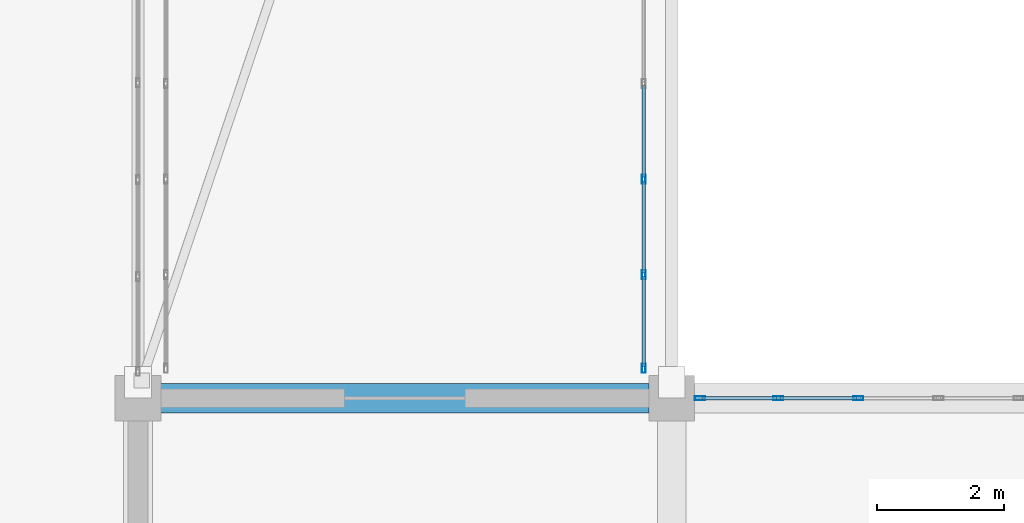
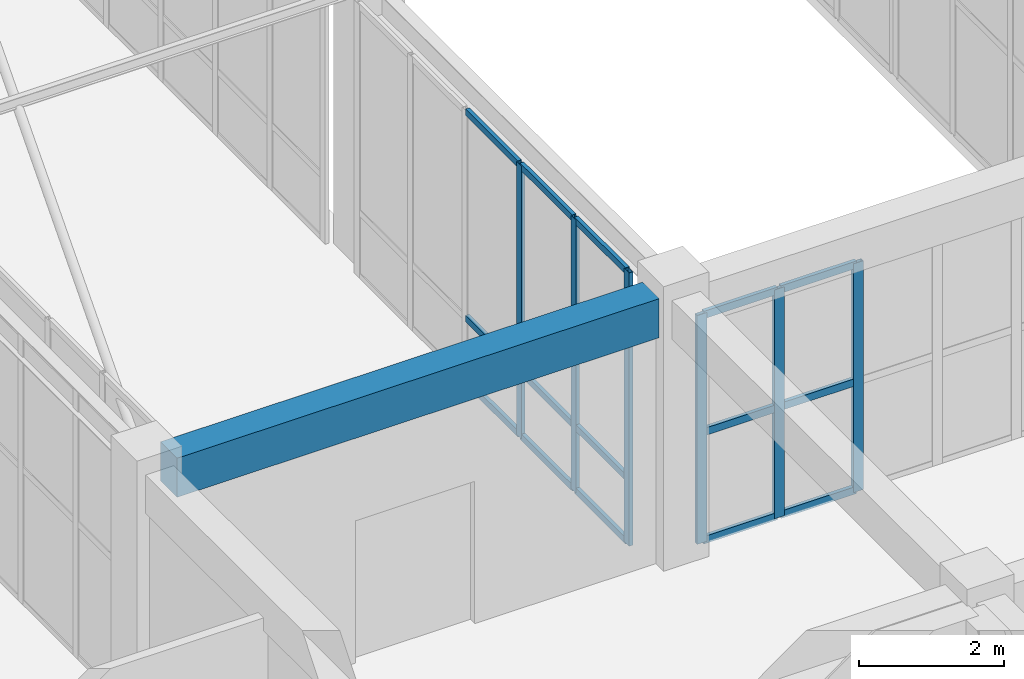
# One storey, part 66 of 158: 21 members, 1 beam, 2 elements without a shape of their own.
"""IFC4 building model written with IfcOpenShell, lengths in metres."""

from ifc_helpers import new_model, si_unit, direction, frame, origin, origin_2d, place, context, subcontext, project, spatial, rectangle, hollow_rectangle, extrude, material, layer, layer_set, material_profile, profile_set, type_object, element, aggregate, save


model = new_model("IFC4")

# Units and contexts
model_context = context("Model", 3, precision=1e-05, world=origin(), true_north=direction((0.0, 1.0)))
body_context = subcontext(model_context, "Body", "Model", "MODEL_VIEW")
ifc_project = project(units=[si_unit("LENGTHUNIT", "METRE"), si_unit("AREAUNIT", "SQUARE_METRE"), si_unit("VOLUMEUNIT", "CUBIC_METRE"), si_unit("PLANEANGLEUNIT", "RADIAN"), si_unit("MASSUNIT", "GRAM", prefix="KILO")], contexts=[model_context])

# Site, building, storey
site_placement = place(None, origin())
site = spatial("IfcSite", under=ifc_project, at=site_placement, CompositionType="ELEMENT")
building_placement = place(site_placement, origin())
building = spatial("IfcBuilding", under=site, at=building_placement, Name="Trelvath General Hospital", CompositionType="ELEMENT")
storey_placement = place(building_placement, frame((0.0, 0.0, 8.10009765625)))
storey = spatial("IfcBuildingStorey", under=building, at=storey_placement, Name="L02", CompositionType="ELEMENT", Elevation=8.10009765625)

# Beam
ifc_material_1 = material(Name="Concrete C35/45", Category="concrete")
ifc_material_profile_1 = material_profile(ifc_material_1, rectangle(XDim=0.4599609375, YDim=0.659912109375, at=origin_2d()), Name="RCB460x660")
ifc_profile_set_1 = profile_set([ifc_material_profile_1], Name="Concrete C35/45")
beam_type = type_object("IfcBeamType", Name="Beam RC460x660", PredefinedType="BEAM", material=ifc_profile_set_1)
beam_placement = place(storey_placement, frame((75.955078125, 67.199951171875, 4.18994140625), z_axis=(1.0, 0.0, 0.0), x_axis=(0.0, 1.0, 0.0)))
element("IfcBeam", 1, at=beam_placement, inside=storey, type_object=beam_type, Name="Grid Beam BX-209I", PredefinedType="BEAM", context=body_context, shape_type="SweptSolid", body=[
    extrude(rectangle(XDim=0.4599609375, YDim=0.659912109375, at=origin_2d()), origin(), (0.0, 0.0, 1.0), 7.68994140625),
])

# Curtain wall, members
ifc_material_2 = material(Name="Anodised aluminium and low-E glass", Category="aluminium")
ifc_layer_1 = layer(ifc_material_2, 0.139892578125)
ifc_layer_set_1 = layer_set([ifc_layer_1], Name="Anodised aluminium and low-E glass")
curtain_wall_type_1 = type_object("IfcCurtainWallType", Name="CW Bridge 752 461", PredefinedType="USERDEFINED", material=ifc_layer_set_1)
curtain_wall_1_placement = place(storey_placement, origin())
curtain_wall_1 = element("IfcCurtainWall", 2, at=curtain_wall_1_placement, inside=storey, type_object=curtain_wall_type_1, Name="Glazed Bridge Curtain Wall BRG-N-C E L02", ObjectType="Unitised Glazed Curtain Wall", PredefinedType="USERDEFINED")
ifc_material_3 = material(Name="Anodised aluminium", Category="aluminium")
ifc_material_profile_2 = material_profile(ifc_material_3, hollow_rectangle(XDim=0.06005859375, YDim=0.139892578125, WallThickness=0.00390625, at=origin_2d()), Name="RHS60x140x4")
ifc_profile_set_2 = profile_set([ifc_material_profile_2], Name="Anodised aluminium")
member_type_1 = type_object("IfcMemberType", Name="CurtainMullion 60x140", PredefinedType="MULLION", material=ifc_profile_set_2)
member_1_placement = place(storey_placement, frame((83.56005859375, 70.64794921875, 0.0), z_axis=(0.0, 0.0, 1.0), x_axis=(1.0, 0.0, 0.0)))
member_1 = element("IfcMember", 3, at=member_1_placement, type_object=member_type_1, Name="CW-221 mullion 4", PredefinedType="MULLION", context=body_context, shape_type="SweptSolid", body=[
    extrude(hollow_rectangle(XDim=0.06005859375, YDim=0.139892578125, WallThickness=0.00390625, at=origin_2d()), origin(), (0.0, 0.0, 1.0), 4.60986328125),
])
member_2_placement = place(storey_placement, frame((83.56005859375, 69.14404296875, 0.0), z_axis=(0.0, 0.0, 1.0), x_axis=(1.0, 0.0, 0.0)))
member_2 = element("IfcMember", 4, at=member_2_placement, type_object=member_type_1, Name="CW-221 mullion 5", PredefinedType="MULLION", context=body_context, shape_type="SweptSolid", body=[
    extrude(hollow_rectangle(XDim=0.06005859375, YDim=0.139892578125, WallThickness=0.00390625, at=origin_2d()), origin(), (0.0, 0.0, 1.0), 4.60986328125),
])
member_3_placement = place(storey_placement, frame((83.56005859375, 67.669921875, 0.0), z_axis=(0.0, 0.0, 1.0), x_axis=(1.0, 0.0, 0.0)))
member_3 = element("IfcMember", 5, at=member_3_placement, type_object=member_type_1, Name="CW-221 mullion 6", PredefinedType="MULLION", context=body_context, shape_type="SweptSolid", body=[
    extrude(hollow_rectangle(XDim=0.06005859375, YDim=0.139892578125, WallThickness=0.00390625, at=origin_2d()), origin(), (0.0, 0.0, 1.0), 4.60986328125),
])

ifc_material_4 = material(Name="Anodised aluminium and low-E glass", Category="aluminium")
ifc_layer_2 = layer(ifc_material_4, 0.159912109375)
ifc_layer_set_2 = layer_set([ifc_layer_2], Name="Anodised aluminium and low-E glass")
curtain_wall_type_2 = type_object("IfcCurtainWallType", Name="CW Facade 757 386 16", PredefinedType="USERDEFINED", material=ifc_layer_set_2)
curtain_wall_2_placement = place(storey_placement, origin())
curtain_wall_2 = element("IfcCurtainWall", 6, at=curtain_wall_2_placement, inside=storey, type_object=curtain_wall_type_2, Name="Facade Curtain Wall CW-043", ObjectType="Unitised Glazed Curtain Wall", PredefinedType="USERDEFINED")
ifc_material_5 = material(Name="Anodised aluminium", Category="aluminium")
ifc_material_profile_3 = material_profile(ifc_material_5, hollow_rectangle(XDim=0.06005859375, YDim=0.159912109375, WallThickness=0.00390625, at=origin_2d()), Name="RHS60x160x4")
ifc_profile_set_3 = profile_set([ifc_material_profile_3], Name="Anodised aluminium")
member_type_2 = type_object("IfcMemberType", Name="CurtainMullion 60x160", PredefinedType="MULLION", material=ifc_profile_set_3)
member_4_placement = place(storey_placement, frame((84.445068359375, 67.199951171875, 0.0), z_axis=(0.0, 0.0, 1.0), x_axis=(0.0, 1.0, 0.0)))
member_4 = element("IfcMember", 7, at=member_4_placement, type_object=member_type_2, Name="CW-043 mullion 1", PredefinedType="MULLION", context=body_context, shape_type="SweptSolid", body=[
    extrude(hollow_rectangle(XDim=0.06005859375, YDim=0.159912109375, WallThickness=0.00390625, at=origin_2d()), origin(), (0.0, 0.0, 1.0), 3.85986328125),
])
member_5_placement = place(storey_placement, frame((85.6767578125, 67.199951171875, 0.0), z_axis=(0.0, 0.0, 1.0), x_axis=(0.0, 1.0, 0.0)))
member_5 = element("IfcMember", 8, at=member_5_placement, type_object=member_type_2, Name="CW-043 mullion 2", PredefinedType="MULLION", context=body_context, shape_type="SweptSolid", body=[
    extrude(hollow_rectangle(XDim=0.06005859375, YDim=0.159912109375, WallThickness=0.00390625, at=origin_2d()), origin(), (0.0, 0.0, 1.0), 3.85986328125),
])
member_6_placement = place(storey_placement, frame((86.938232421875, 67.199951171875, 0.0), z_axis=(0.0, 0.0, 1.0), x_axis=(0.0, 1.0, 0.0)))
member_6 = element("IfcMember", 9, at=member_6_placement, type_object=member_type_2, Name="CW-043 mullion 3", PredefinedType="MULLION", context=body_context, shape_type="SweptSolid", body=[
    extrude(hollow_rectangle(XDim=0.06005859375, YDim=0.159912109375, WallThickness=0.00390625, at=origin_2d()), origin(), (0.0, 0.0, 1.0), 3.85986328125),
])

# Member
ifc_material_6 = material(Name="Anodised aluminium", Category="aluminium")
ifc_material_profile_4 = material_profile(ifc_material_6, hollow_rectangle(XDim=0.06005859375, YDim=0.110107421875, WallThickness=0.00390625, at=origin_2d()), Name="RHS60x110x4")
ifc_profile_set_4 = profile_set([ifc_material_profile_4], Name="Anodised aluminium")
member_type_3 = type_object("IfcMemberType", Name="CurtainTransom 60x110", PredefinedType="USERDEFINED", material=ifc_profile_set_4)
member_7_placement = place(storey_placement, frame((83.56005859375, 72.1220703125, 0.02978515625), z_axis=(0.0, -1.0, 0.0), x_axis=(1.0, 0.0, 0.0)))
member_7 = element("IfcMember", 10, at=member_7_placement, type_object=member_type_3, Name="CW-221 transom 3.1", ObjectType="TRANSOM", PredefinedType="USERDEFINED", context=body_context, shape_type="SweptSolid", body=[
    extrude(hollow_rectangle(XDim=0.06005859375, YDim=0.110107421875, WallThickness=0.00390625, at=origin_2d()), origin(), (0.0, 0.0, 1.0), 1.444091796875),
])

member_8_placement = place(storey_placement, frame((83.56005859375, 72.1220703125, 1.099853515625), z_axis=(0.0, -1.0, 0.0), x_axis=(1.0, 0.0, 0.0)))
member_8 = element("IfcMember", 11, at=member_8_placement, type_object=member_type_3, Name="CW-221 transom 3.2", ObjectType="TRANSOM", PredefinedType="USERDEFINED", context=body_context, shape_type="SweptSolid", body=[
    extrude(hollow_rectangle(XDim=0.06005859375, YDim=0.110107421875, WallThickness=0.00390625, at=origin_2d()), origin(), (0.0, 0.0, 1.0), 1.444091796875),
])

member_9_placement = place(storey_placement, frame((83.56005859375, 72.1220703125, 4.579833984375), z_axis=(0.0, -1.0, 0.0), x_axis=(1.0, 0.0, 0.0)))
member_9 = element("IfcMember", 12, at=member_9_placement, type_object=member_type_3, Name="CW-221 transom 3.3", ObjectType="TRANSOM", PredefinedType="USERDEFINED", context=body_context, shape_type="SweptSolid", body=[
    extrude(hollow_rectangle(XDim=0.06005859375, YDim=0.110107421875, WallThickness=0.00390625, at=origin_2d()), origin(), (0.0, 0.0, 1.0), 1.444091796875),
])

member_10_placement = place(storey_placement, frame((83.56005859375, 70.617919921875, 0.02978515625), z_axis=(0.0, -1.0, 0.0), x_axis=(1.0, 0.0, 0.0)))
member_10 = element("IfcMember", 13, at=member_10_placement, type_object=member_type_3, Name="CW-221 transom 4.1", ObjectType="TRANSOM", PredefinedType="USERDEFINED", context=body_context, shape_type="SweptSolid", body=[
    extrude(hollow_rectangle(XDim=0.06005859375, YDim=0.110107421875, WallThickness=0.00390625, at=origin_2d()), origin(), (0.0, 0.0, 1.0), 1.44384765625),
])

member_11_placement = place(storey_placement, frame((83.56005859375, 70.617919921875, 1.099853515625), z_axis=(0.0, -1.0, 0.0), x_axis=(1.0, 0.0, 0.0)))
member_11 = element("IfcMember", 14, at=member_11_placement, type_object=member_type_3, Name="CW-221 transom 4.2", ObjectType="TRANSOM", PredefinedType="USERDEFINED", context=body_context, shape_type="SweptSolid", body=[
    extrude(hollow_rectangle(XDim=0.06005859375, YDim=0.110107421875, WallThickness=0.00390625, at=origin_2d()), origin(), (0.0, 0.0, 1.0), 1.44384765625),
])

member_12_placement = place(storey_placement, frame((83.56005859375, 70.617919921875, 4.579833984375), z_axis=(0.0, -1.0, 0.0), x_axis=(1.0, 0.0, 0.0)))
member_12 = element("IfcMember", 15, at=member_12_placement, type_object=member_type_3, Name="CW-221 transom 4.3", ObjectType="TRANSOM", PredefinedType="USERDEFINED", context=body_context, shape_type="SweptSolid", body=[
    extrude(hollow_rectangle(XDim=0.06005859375, YDim=0.110107421875, WallThickness=0.00390625, at=origin_2d()), origin(), (0.0, 0.0, 1.0), 1.44384765625),
])

member_13_placement = place(storey_placement, frame((83.56005859375, 69.114013671875, 0.02978515625), z_axis=(0.0, -1.0, 0.0), x_axis=(1.0, 0.0, 0.0)))
member_13 = element("IfcMember", 16, at=member_13_placement, type_object=member_type_3, Name="CW-221 transom 5.1", ObjectType="TRANSOM", PredefinedType="USERDEFINED", context=body_context, shape_type="SweptSolid", body=[
    extrude(hollow_rectangle(XDim=0.06005859375, YDim=0.110107421875, WallThickness=0.00390625, at=origin_2d()), origin(), (0.0, 0.0, 1.0), 1.4140625),
])

member_14_placement = place(storey_placement, frame((83.56005859375, 69.114013671875, 1.099853515625), z_axis=(0.0, -1.0, 0.0), x_axis=(1.0, 0.0, 0.0)))
member_14 = element("IfcMember", 17, at=member_14_placement, type_object=member_type_3, Name="CW-221 transom 5.2", ObjectType="TRANSOM", PredefinedType="USERDEFINED", context=body_context, shape_type="SweptSolid", body=[
    extrude(hollow_rectangle(XDim=0.06005859375, YDim=0.110107421875, WallThickness=0.00390625, at=origin_2d()), origin(), (0.0, 0.0, 1.0), 1.4140625),
])

member_15_placement = place(storey_placement, frame((83.56005859375, 69.114013671875, 4.579833984375), z_axis=(0.0, -1.0, 0.0), x_axis=(1.0, 0.0, 0.0)))
member_15 = element("IfcMember", 18, at=member_15_placement, type_object=member_type_3, Name="CW-221 transom 5.3", ObjectType="TRANSOM", PredefinedType="USERDEFINED", context=body_context, shape_type="SweptSolid", body=[
    extrude(hollow_rectangle(XDim=0.06005859375, YDim=0.110107421875, WallThickness=0.00390625, at=origin_2d()), origin(), (0.0, 0.0, 1.0), 1.4140625),
])

aggregate(curtain_wall_1, [member_1, member_2, member_3, member_7, member_8, member_9, member_10, member_11, member_12, member_13, member_14, member_15])

ifc_material_7 = material(Name="Anodised aluminium", Category="aluminium")
ifc_material_profile_5 = material_profile(ifc_material_7, hollow_rectangle(XDim=0.06005859375, YDim=0.125, WallThickness=0.00390625, at=origin_2d()), Name="RHS60x125x4")
ifc_profile_set_5 = profile_set([ifc_material_profile_5], Name="Anodised aluminium")
member_type_4 = type_object("IfcMemberType", Name="CurtainTransom 60x125", PredefinedType="USERDEFINED", material=ifc_profile_set_5)
member_16_placement = place(storey_placement, frame((84.47509765625, 67.199951171875, 0.02978515625), z_axis=(1.0, 0.0, 0.0), x_axis=(0.0, 1.0, 0.0)))
member_16 = element("IfcMember", 19, at=member_16_placement, type_object=member_type_4, Name="CW-043 transom 1.1", ObjectType="TRANSOM", PredefinedType="USERDEFINED", context=body_context, shape_type="SweptSolid", body=[
    extrude(hollow_rectangle(XDim=0.06005859375, YDim=0.125, WallThickness=0.00390625, at=origin_2d()), origin(), (0.0, 0.0, 1.0), 1.171630859375),
])

member_17_placement = place(storey_placement, frame((84.47509765625, 67.199951171875, 1.852783203125), z_axis=(1.0, 0.0, 0.0), x_axis=(0.0, 1.0, 0.0)))
member_17 = element("IfcMember", 20, at=member_17_placement, type_object=member_type_4, Name="CW-043 transom 1.2", ObjectType="TRANSOM", PredefinedType="USERDEFINED", context=body_context, shape_type="SweptSolid", body=[
    extrude(hollow_rectangle(XDim=0.06005859375, YDim=0.125, WallThickness=0.00390625, at=origin_2d()), origin(), (0.0, 0.0, 1.0), 1.171630859375),
])

member_18_placement = place(storey_placement, frame((84.47509765625, 67.199951171875, 3.829833984375), z_axis=(1.0, 0.0, 0.0), x_axis=(0.0, 1.0, 0.0)))
member_18 = element("IfcMember", 21, at=member_18_placement, type_object=member_type_4, Name="CW-043 transom 1.3", ObjectType="TRANSOM", PredefinedType="USERDEFINED", context=body_context, shape_type="SweptSolid", body=[
    extrude(hollow_rectangle(XDim=0.06005859375, YDim=0.125, WallThickness=0.00390625, at=origin_2d()), origin(), (0.0, 0.0, 1.0), 1.171630859375),
])

member_19_placement = place(storey_placement, frame((85.706787109375, 67.199951171875, 0.02978515625), z_axis=(1.0, 0.0, 0.0), x_axis=(0.0, 1.0, 0.0)))
member_19 = element("IfcMember", 22, at=member_19_placement, type_object=member_type_4, Name="CW-043 transom 2.1", ObjectType="TRANSOM", PredefinedType="USERDEFINED", context=body_context, shape_type="SweptSolid", body=[
    extrude(hollow_rectangle(XDim=0.06005859375, YDim=0.125, WallThickness=0.00390625, at=origin_2d()), origin(), (0.0, 0.0, 1.0), 1.20166015625),
])

member_20_placement = place(storey_placement, frame((85.706787109375, 67.199951171875, 1.852783203125), z_axis=(1.0, 0.0, 0.0), x_axis=(0.0, 1.0, 0.0)))
member_20 = element("IfcMember", 23, at=member_20_placement, type_object=member_type_4, Name="CW-043 transom 2.2", ObjectType="TRANSOM", PredefinedType="USERDEFINED", context=body_context, shape_type="SweptSolid", body=[
    extrude(hollow_rectangle(XDim=0.06005859375, YDim=0.125, WallThickness=0.00390625, at=origin_2d()), origin(), (0.0, 0.0, 1.0), 1.20166015625),
])

member_21_placement = place(storey_placement, frame((85.706787109375, 67.199951171875, 3.829833984375), z_axis=(1.0, 0.0, 0.0), x_axis=(0.0, 1.0, 0.0)))
member_21 = element("IfcMember", 24, at=member_21_placement, type_object=member_type_4, Name="CW-043 transom 2.3", ObjectType="TRANSOM", PredefinedType="USERDEFINED", context=body_context, shape_type="SweptSolid", body=[
    extrude(hollow_rectangle(XDim=0.06005859375, YDim=0.125, WallThickness=0.00390625, at=origin_2d()), origin(), (0.0, 0.0, 1.0), 1.20166015625),
])

aggregate(curtain_wall_2, [member_4, member_5, member_6, member_16, member_17, member_18, member_19, member_20, member_21])

save(model, "model.ifc")
